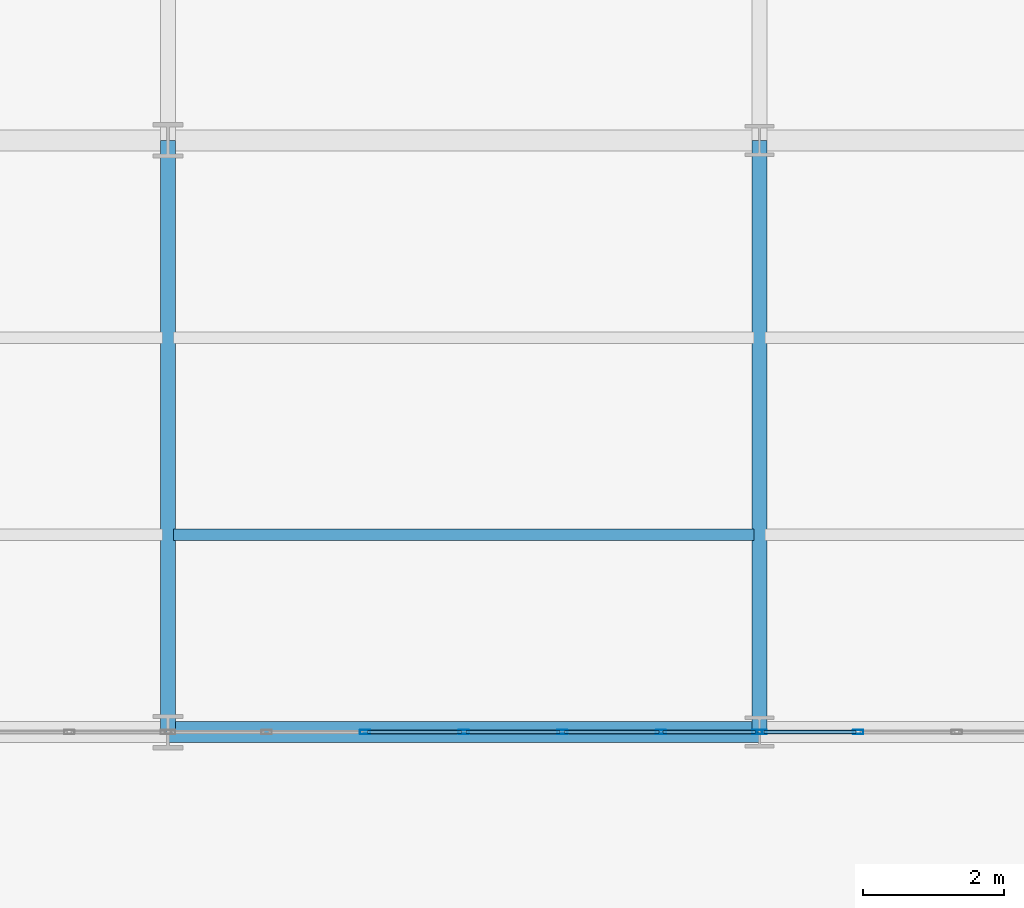
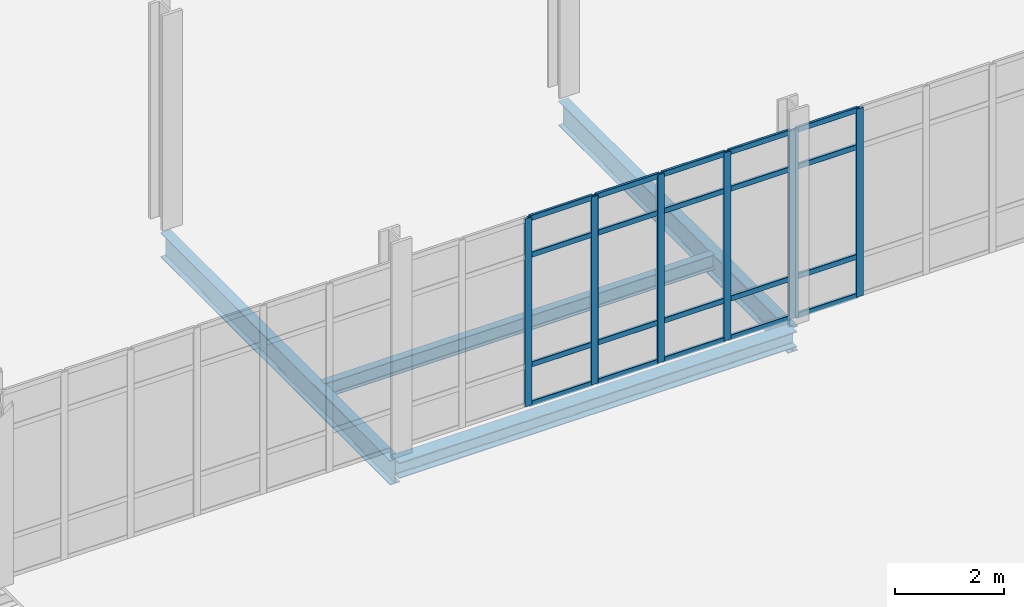
# One storey, part 82 of 145: 27 members, 4 beams, 2 elements without a shape of their own.
"""IFC4 building model written with IfcOpenShell, lengths in metres."""

from ifc_helpers import new_model, si_unit, direction, frame, origin, origin_2d, place, context, subcontext, project, spatial, hollow_rectangle, i_section, extrude, material, layer, layer_set, material_profile, profile_set, type_object, element, aggregate, save


model = new_model("IFC4")

# Units and contexts
model_context = context("Model", 3, precision=1e-05, world=origin(), true_north=direction((0.0, 1.0)))
body_context = subcontext(model_context, "Body", "Model", "MODEL_VIEW")
ifc_project = project(units=[si_unit("LENGTHUNIT", "METRE"), si_unit("AREAUNIT", "SQUARE_METRE"), si_unit("VOLUMEUNIT", "CUBIC_METRE"), si_unit("PLANEANGLEUNIT", "RADIAN"), si_unit("MASSUNIT", "GRAM", prefix="KILO")], contexts=[model_context])

# Site, building, storey
site_placement = place(None, origin())
site = spatial("IfcSite", under=ifc_project, at=site_placement, CompositionType="ELEMENT")
building_placement = place(site_placement, origin())
building = spatial("IfcBuilding", under=site, at=building_placement, Name="Qalvenar Corner Mobility Hub", CompositionType="ELEMENT")
storey_placement = place(building_placement, origin())
storey = spatial("IfcBuildingStorey", under=building, at=storey_placement, Name="L00", CompositionType="ELEMENT", Elevation=0.0)

# Beams
ifc_material_1 = material(Name="Steel S355", Category="steel")
ifc_material_profile_1 = material_profile(ifc_material_1, i_section(OverallWidth=0.2099609375, OverallDepth=0.550048828125, WebThickness=0.010986328125, FlangeThickness=0.01708984375, FilletRadius=0.02392578125, at=origin_2d()), Name="IPE550")
ifc_profile_set_1 = profile_set([ifc_material_profile_1], Name="Steel S355")
beam_type_1 = type_object("IfcBeamType", Name="BM-IPE550", PredefinedType="BEAM", material=ifc_profile_set_1)
for number, where, z_axis, x_axis, name in (
    (1, (117.60009765625, 67.199951171875, -0.4951171875), (0.0, 1.0, 0.0), (-1.0, 0.0, 0.0), "Primary Steel Girder GY-0629"),
    (2, (126.0, 67.199951171875, -0.4951171875), (0.0, 1.0, 0.0), (-1.0, 0.0, 0.0), "Primary Steel Girder GY-0635"),
):
    element("IfcBeam", number, at=place(storey_placement, frame(where, z_axis=z_axis, x_axis=x_axis)), inside=storey, type_object=beam_type_1, Name=name, PredefinedType="BEAM", context=body_context, shape_type="SweptSolid", body=[
        extrude(i_section(OverallWidth=0.2099609375, OverallDepth=0.550048828125, WebThickness=0.010986328125, FlangeThickness=0.01708984375, FilletRadius=0.02392578125, at=origin_2d()), origin(), (0.0, 0.0, 1.0), 8.400146484375),
    ])
ifc_material_profile_2 = material_profile(ifc_material_1, i_section(OverallWidth=0.159912109375, OverallDepth=0.330078125, WebThickness=0.007568359375, FlangeThickness=0.011474609375, FilletRadius=0.01806640625, at=origin_2d()), Name="IPE330")
ifc_profile_set_2 = profile_set([ifc_material_profile_2], Name="Steel S355")
beam_type_2 = type_object("IfcBeamType", Name="BM-JST330", PredefinedType="JOIST", material=ifc_profile_set_2)
beam_1_placement = place(storey_placement, frame((117.677978515625, 70.0, -0.385009765625), z_axis=(1.0, 0.0, 0.0), x_axis=(0.0, 1.0, 0.0)))
element("IfcBeam", 3, at=beam_1_placement, inside=storey, type_object=beam_type_2, Name="Composite Floor Joist J-0729", PredefinedType="JOIST", context=body_context, shape_type="SweptSolid", body=[
    extrude(i_section(OverallWidth=0.159912109375, OverallDepth=0.330078125, WebThickness=0.007568359375, FlangeThickness=0.011474609375, FilletRadius=0.01806640625, at=origin_2d()), origin(), (0.0, 0.0, 1.0), 8.244140625),
])
ifc_material_profile_3 = material_profile(ifc_material_1, i_section(OverallWidth=0.300048828125, OverallDepth=0.35009765625, WebThickness=0.010009765625, FlangeThickness=0.017578125, FilletRadius=0.027099609375, at=origin_2d()), Name="HEA360")
ifc_profile_set_3 = profile_set([ifc_material_profile_3], Name="Steel S355")
beam_type_3 = type_object("IfcBeamType", Name="BM-SPN360", PredefinedType="SPANDREL", material=ifc_profile_set_3)
beam_2_placement = place(storey_placement, frame((117.60009765625, 67.199951171875, -0.39501953125), z_axis=(1.0, 0.0, 0.0), x_axis=(0.0, 1.0, 0.0)))
element("IfcBeam", 4, at=beam_2_placement, inside=storey, type_object=beam_type_3, Name="Primary Steel Girder GX-0529", PredefinedType="SPANDREL", context=body_context, shape_type="SweptSolid", body=[
    extrude(i_section(OverallWidth=0.300048828125, OverallDepth=0.35009765625, WebThickness=0.010009765625, FlangeThickness=0.017578125, FilletRadius=0.027099609375, at=origin_2d()), origin(), (0.0, 0.0, 1.0), 8.39990234375),
])

# Curtain wall, members
ifc_material_2 = material(Name="Anodised Aluminium and Low-E Glazing", Category="aluminium")
ifc_layer = layer(ifc_material_2, 0.14990234375)
ifc_layer_set = layer_set([ifc_layer], Name="Anodised Aluminium and Low-E Glazing")
curtain_wall_type = type_object("IfcCurtainWallType", Name="CW-MOB-84X46", PredefinedType="NOTDEFINED", material=ifc_layer_set)
curtain_wall_1_placement = place(storey_placement, origin())
curtain_wall_1 = element("IfcCurtainWall", 5, at=curtain_wall_1_placement, inside=storey, type_object=curtain_wall_type, Name="Glazed Curtain Wall CW-V4-L00-S7", PredefinedType="NOTDEFINED")
ifc_material_3 = material(Name="Anodised Aluminium 6063-T6", Category="aluminium")
ifc_material_profile_4 = material_profile(ifc_material_3, hollow_rectangle(XDim=0.06005859375, YDim=0.14990234375, WallThickness=0.00390625, InnerFilletRadius=0.00390625, OuterFilletRadius=0.008056640625, at=origin_2d()), Name="RHS150x60x4")
ifc_profile_set_4 = profile_set([ifc_material_profile_4], Name="Anodised Aluminium 6063-T6")
member_type_1 = type_object("IfcMemberType", Name="CW-MUL150", PredefinedType="MULLION", material=ifc_profile_set_4)
member_1_placement = place(storey_placement, frame((120.39990234375, 67.199951171875, 0.0), z_axis=(0.0, 0.0, 1.0), x_axis=(0.0, 1.0, 0.0)))
member_1 = element("IfcMember", 6, at=member_1_placement, type_object=member_type_1, Name="CW-03 mullion 3", PredefinedType="MULLION", context=body_context, shape_type="SweptSolid", body=[
    extrude(hollow_rectangle(XDim=0.06005859375, YDim=0.14990234375, WallThickness=0.00390625, InnerFilletRadius=0.00390625, OuterFilletRadius=0.008056640625, at=origin_2d()), origin(), (0.0, 0.0, 1.0), 4.199951171875),
])
member_2_placement = place(storey_placement, frame((121.800048828125, 67.199951171875, 0.0), z_axis=(0.0, 0.0, 1.0), x_axis=(0.0, 1.0, 0.0)))
member_2 = element("IfcMember", 7, at=member_2_placement, type_object=member_type_1, Name="CW-03 mullion 4", PredefinedType="MULLION", context=body_context, shape_type="SweptSolid", body=[
    extrude(hollow_rectangle(XDim=0.06005859375, YDim=0.14990234375, WallThickness=0.00390625, InnerFilletRadius=0.00390625, OuterFilletRadius=0.008056640625, at=origin_2d()), origin(), (0.0, 0.0, 1.0), 4.199951171875),
])
member_3_placement = place(storey_placement, frame((123.199951171875, 67.199951171875, 0.0), z_axis=(0.0, 0.0, 1.0), x_axis=(0.0, 1.0, 0.0)))
member_3 = element("IfcMember", 8, at=member_3_placement, type_object=member_type_1, Name="CW-03 mullion 5", PredefinedType="MULLION", context=body_context, shape_type="SweptSolid", body=[
    extrude(hollow_rectangle(XDim=0.06005859375, YDim=0.14990234375, WallThickness=0.00390625, InnerFilletRadius=0.00390625, OuterFilletRadius=0.008056640625, at=origin_2d()), origin(), (0.0, 0.0, 1.0), 4.199951171875),
])
member_4_placement = place(storey_placement, frame((124.60009765625, 67.199951171875, 0.0), z_axis=(0.0, 0.0, 1.0), x_axis=(0.0, 1.0, 0.0)))
member_4 = element("IfcMember", 9, at=member_4_placement, type_object=member_type_1, Name="CW-03 mullion 6", PredefinedType="MULLION", context=body_context, shape_type="SweptSolid", body=[
    extrude(hollow_rectangle(XDim=0.06005859375, YDim=0.14990234375, WallThickness=0.00390625, InnerFilletRadius=0.00390625, OuterFilletRadius=0.008056640625, at=origin_2d()), origin(), (0.0, 0.0, 1.0), 4.199951171875),
])
member_5_placement = place(storey_placement, frame((125.969970703125, 67.199951171875, 0.0), z_axis=(0.0, 0.0, 1.0), x_axis=(0.0, 1.0, 0.0)))
member_5 = element("IfcMember", 10, at=member_5_placement, type_object=member_type_1, Name="CW-03 mullion 7", PredefinedType="MULLION", context=body_context, shape_type="SweptSolid", body=[
    extrude(hollow_rectangle(XDim=0.06005859375, YDim=0.14990234375, WallThickness=0.00390625, InnerFilletRadius=0.00390625, OuterFilletRadius=0.008056640625, at=origin_2d()), origin(), (0.0, 0.0, 1.0), 4.199951171875),
])

curtain_wall_2_placement = place(storey_placement, origin())
curtain_wall_2 = element("IfcCurtainWall", 11, at=curtain_wall_2_placement, inside=storey, type_object=curtain_wall_type, Name="Glazed Curtain Wall CW-V4-L00-S8", PredefinedType="NOTDEFINED")
member_6_placement = place(storey_placement, frame((126.030029296875, 67.199951171875, 0.0), z_axis=(0.0, 0.0, 1.0), x_axis=(0.0, 1.0, 0.0)))
member_6 = element("IfcMember", 12, at=member_6_placement, type_object=member_type_1, Name="CW-03 mullion 1", PredefinedType="MULLION", context=body_context, shape_type="SweptSolid", body=[
    extrude(hollow_rectangle(XDim=0.06005859375, YDim=0.14990234375, WallThickness=0.00390625, InnerFilletRadius=0.00390625, OuterFilletRadius=0.008056640625, at=origin_2d()), origin(), (0.0, 0.0, 1.0), 4.199951171875),
])
member_7_placement = place(storey_placement, frame((127.39990234375, 67.199951171875, 0.0), z_axis=(0.0, 0.0, 1.0), x_axis=(0.0, 1.0, 0.0)))
member_7 = element("IfcMember", 13, at=member_7_placement, type_object=member_type_1, Name="CW-03 mullion 2", PredefinedType="MULLION", context=body_context, shape_type="SweptSolid", body=[
    extrude(hollow_rectangle(XDim=0.06005859375, YDim=0.14990234375, WallThickness=0.00390625, InnerFilletRadius=0.00390625, OuterFilletRadius=0.008056640625, at=origin_2d()), origin(), (0.0, 0.0, 1.0), 4.199951171875),
])

# Member
ifc_material_profile_5 = material_profile(ifc_material_3, hollow_rectangle(XDim=0.054931640625, YDim=0.1201171875, WallThickness=0.00341796875, InnerFilletRadius=0.00341796875, OuterFilletRadius=0.007080078125, at=origin_2d()), Name="RHS120x55x3.5")
ifc_profile_set_5 = profile_set([ifc_material_profile_5], Name="Anodised Aluminium 6063-T6")
member_type_2 = type_object("IfcMemberType", Name="CW-TRN120", PredefinedType="USERDEFINED", material=ifc_profile_set_5)
member_8_placement = place(storey_placement, frame((120.429931640625, 67.199951171875, 0.027587890625), z_axis=(1.0, 0.0, 0.0), x_axis=(0.0, 1.0, 0.0)))
member_8 = element("IfcMember", 14, at=member_8_placement, type_object=member_type_2, Name="CW-03 transom 3.1", ObjectType="TRANSOM", PredefinedType="USERDEFINED", context=body_context, shape_type="SweptSolid", body=[
    extrude(hollow_rectangle(XDim=0.054931640625, YDim=0.1201171875, WallThickness=0.00341796875, InnerFilletRadius=0.00341796875, OuterFilletRadius=0.007080078125, at=origin_2d()), origin(), (0.0, 0.0, 1.0), 1.340087890625),
])

member_9_placement = place(storey_placement, frame((120.429931640625, 67.199951171875, 0.89990234375), z_axis=(1.0, 0.0, 0.0), x_axis=(0.0, 1.0, 0.0)))
member_9 = element("IfcMember", 15, at=member_9_placement, type_object=member_type_2, Name="CW-03 transom 3.2", ObjectType="TRANSOM", PredefinedType="USERDEFINED", context=body_context, shape_type="SweptSolid", body=[
    extrude(hollow_rectangle(XDim=0.054931640625, YDim=0.1201171875, WallThickness=0.00341796875, InnerFilletRadius=0.00341796875, OuterFilletRadius=0.007080078125, at=origin_2d()), origin(), (0.0, 0.0, 1.0), 1.340087890625),
])

member_10_placement = place(storey_placement, frame((120.429931640625, 67.199951171875, 3.35009765625), z_axis=(1.0, 0.0, 0.0), x_axis=(0.0, 1.0, 0.0)))
member_10 = element("IfcMember", 16, at=member_10_placement, type_object=member_type_2, Name="CW-03 transom 3.3", ObjectType="TRANSOM", PredefinedType="USERDEFINED", context=body_context, shape_type="SweptSolid", body=[
    extrude(hollow_rectangle(XDim=0.054931640625, YDim=0.1201171875, WallThickness=0.00341796875, InnerFilletRadius=0.00341796875, OuterFilletRadius=0.007080078125, at=origin_2d()), origin(), (0.0, 0.0, 1.0), 1.340087890625),
])

member_11_placement = place(storey_placement, frame((120.429931640625, 67.199951171875, 4.172607421875), z_axis=(1.0, 0.0, 0.0), x_axis=(0.0, 1.0, 0.0)))
member_11 = element("IfcMember", 17, at=member_11_placement, type_object=member_type_2, Name="CW-03 transom 3.4", ObjectType="TRANSOM", PredefinedType="USERDEFINED", context=body_context, shape_type="SweptSolid", body=[
    extrude(hollow_rectangle(XDim=0.054931640625, YDim=0.1201171875, WallThickness=0.00341796875, InnerFilletRadius=0.00341796875, OuterFilletRadius=0.007080078125, at=origin_2d()), origin(), (0.0, 0.0, 1.0), 1.340087890625),
])

member_12_placement = place(storey_placement, frame((121.830078125, 67.199951171875, 0.027587890625), z_axis=(1.0, 0.0, 0.0), x_axis=(0.0, 1.0, 0.0)))
member_12 = element("IfcMember", 18, at=member_12_placement, type_object=member_type_2, Name="CW-03 transom 4.1", ObjectType="TRANSOM", PredefinedType="USERDEFINED", context=body_context, shape_type="SweptSolid", body=[
    extrude(hollow_rectangle(XDim=0.054931640625, YDim=0.1201171875, WallThickness=0.00341796875, InnerFilletRadius=0.00341796875, OuterFilletRadius=0.007080078125, at=origin_2d()), origin(), (0.0, 0.0, 1.0), 1.33984375),
])

member_13_placement = place(storey_placement, frame((121.830078125, 67.199951171875, 0.89990234375), z_axis=(1.0, 0.0, 0.0), x_axis=(0.0, 1.0, 0.0)))
member_13 = element("IfcMember", 19, at=member_13_placement, type_object=member_type_2, Name="CW-03 transom 4.2", ObjectType="TRANSOM", PredefinedType="USERDEFINED", context=body_context, shape_type="SweptSolid", body=[
    extrude(hollow_rectangle(XDim=0.054931640625, YDim=0.1201171875, WallThickness=0.00341796875, InnerFilletRadius=0.00341796875, OuterFilletRadius=0.007080078125, at=origin_2d()), origin(), (0.0, 0.0, 1.0), 1.33984375),
])

member_14_placement = place(storey_placement, frame((121.830078125, 67.199951171875, 3.35009765625), z_axis=(1.0, 0.0, 0.0), x_axis=(0.0, 1.0, 0.0)))
member_14 = element("IfcMember", 20, at=member_14_placement, type_object=member_type_2, Name="CW-03 transom 4.3", ObjectType="TRANSOM", PredefinedType="USERDEFINED", context=body_context, shape_type="SweptSolid", body=[
    extrude(hollow_rectangle(XDim=0.054931640625, YDim=0.1201171875, WallThickness=0.00341796875, InnerFilletRadius=0.00341796875, OuterFilletRadius=0.007080078125, at=origin_2d()), origin(), (0.0, 0.0, 1.0), 1.33984375),
])

member_15_placement = place(storey_placement, frame((121.830078125, 67.199951171875, 4.172607421875), z_axis=(1.0, 0.0, 0.0), x_axis=(0.0, 1.0, 0.0)))
member_15 = element("IfcMember", 21, at=member_15_placement, type_object=member_type_2, Name="CW-03 transom 4.4", ObjectType="TRANSOM", PredefinedType="USERDEFINED", context=body_context, shape_type="SweptSolid", body=[
    extrude(hollow_rectangle(XDim=0.054931640625, YDim=0.1201171875, WallThickness=0.00341796875, InnerFilletRadius=0.00341796875, OuterFilletRadius=0.007080078125, at=origin_2d()), origin(), (0.0, 0.0, 1.0), 1.33984375),
])

member_16_placement = place(storey_placement, frame((123.22998046875, 67.199951171875, 0.027587890625), z_axis=(1.0, 0.0, 0.0), x_axis=(0.0, 1.0, 0.0)))
member_16 = element("IfcMember", 22, at=member_16_placement, type_object=member_type_2, Name="CW-03 transom 5.1", ObjectType="TRANSOM", PredefinedType="USERDEFINED", context=body_context, shape_type="SweptSolid", body=[
    extrude(hollow_rectangle(XDim=0.054931640625, YDim=0.1201171875, WallThickness=0.00341796875, InnerFilletRadius=0.00341796875, OuterFilletRadius=0.007080078125, at=origin_2d()), origin(), (0.0, 0.0, 1.0), 1.340087890625),
])

member_17_placement = place(storey_placement, frame((123.22998046875, 67.199951171875, 0.89990234375), z_axis=(1.0, 0.0, 0.0), x_axis=(0.0, 1.0, 0.0)))
member_17 = element("IfcMember", 23, at=member_17_placement, type_object=member_type_2, Name="CW-03 transom 5.2", ObjectType="TRANSOM", PredefinedType="USERDEFINED", context=body_context, shape_type="SweptSolid", body=[
    extrude(hollow_rectangle(XDim=0.054931640625, YDim=0.1201171875, WallThickness=0.00341796875, InnerFilletRadius=0.00341796875, OuterFilletRadius=0.007080078125, at=origin_2d()), origin(), (0.0, 0.0, 1.0), 1.340087890625),
])

member_18_placement = place(storey_placement, frame((123.22998046875, 67.199951171875, 3.35009765625), z_axis=(1.0, 0.0, 0.0), x_axis=(0.0, 1.0, 0.0)))
member_18 = element("IfcMember", 24, at=member_18_placement, type_object=member_type_2, Name="CW-03 transom 5.3", ObjectType="TRANSOM", PredefinedType="USERDEFINED", context=body_context, shape_type="SweptSolid", body=[
    extrude(hollow_rectangle(XDim=0.054931640625, YDim=0.1201171875, WallThickness=0.00341796875, InnerFilletRadius=0.00341796875, OuterFilletRadius=0.007080078125, at=origin_2d()), origin(), (0.0, 0.0, 1.0), 1.340087890625),
])

member_19_placement = place(storey_placement, frame((123.22998046875, 67.199951171875, 4.172607421875), z_axis=(1.0, 0.0, 0.0), x_axis=(0.0, 1.0, 0.0)))
member_19 = element("IfcMember", 25, at=member_19_placement, type_object=member_type_2, Name="CW-03 transom 5.4", ObjectType="TRANSOM", PredefinedType="USERDEFINED", context=body_context, shape_type="SweptSolid", body=[
    extrude(hollow_rectangle(XDim=0.054931640625, YDim=0.1201171875, WallThickness=0.00341796875, InnerFilletRadius=0.00341796875, OuterFilletRadius=0.007080078125, at=origin_2d()), origin(), (0.0, 0.0, 1.0), 1.340087890625),
])

member_20_placement = place(storey_placement, frame((124.6298828125, 67.199951171875, 0.027587890625), z_axis=(1.0, 0.0, 0.0), x_axis=(0.0, 1.0, 0.0)))
member_20 = element("IfcMember", 26, at=member_20_placement, type_object=member_type_2, Name="CW-03 transom 6.1", ObjectType="TRANSOM", PredefinedType="USERDEFINED", context=body_context, shape_type="SweptSolid", body=[
    extrude(hollow_rectangle(XDim=0.054931640625, YDim=0.1201171875, WallThickness=0.00341796875, InnerFilletRadius=0.00341796875, OuterFilletRadius=0.007080078125, at=origin_2d()), origin(), (0.0, 0.0, 1.0), 1.31005859375),
])

member_21_placement = place(storey_placement, frame((124.6298828125, 67.199951171875, 0.89990234375), z_axis=(1.0, 0.0, 0.0), x_axis=(0.0, 1.0, 0.0)))
member_21 = element("IfcMember", 27, at=member_21_placement, type_object=member_type_2, Name="CW-03 transom 6.2", ObjectType="TRANSOM", PredefinedType="USERDEFINED", context=body_context, shape_type="SweptSolid", body=[
    extrude(hollow_rectangle(XDim=0.054931640625, YDim=0.1201171875, WallThickness=0.00341796875, InnerFilletRadius=0.00341796875, OuterFilletRadius=0.007080078125, at=origin_2d()), origin(), (0.0, 0.0, 1.0), 1.31005859375),
])

member_22_placement = place(storey_placement, frame((124.6298828125, 67.199951171875, 3.35009765625), z_axis=(1.0, 0.0, 0.0), x_axis=(0.0, 1.0, 0.0)))
member_22 = element("IfcMember", 28, at=member_22_placement, type_object=member_type_2, Name="CW-03 transom 6.3", ObjectType="TRANSOM", PredefinedType="USERDEFINED", context=body_context, shape_type="SweptSolid", body=[
    extrude(hollow_rectangle(XDim=0.054931640625, YDim=0.1201171875, WallThickness=0.00341796875, InnerFilletRadius=0.00341796875, OuterFilletRadius=0.007080078125, at=origin_2d()), origin(), (0.0, 0.0, 1.0), 1.31005859375),
])

member_23_placement = place(storey_placement, frame((124.6298828125, 67.199951171875, 4.172607421875), z_axis=(1.0, 0.0, 0.0), x_axis=(0.0, 1.0, 0.0)))
member_23 = element("IfcMember", 29, at=member_23_placement, type_object=member_type_2, Name="CW-03 transom 6.4", ObjectType="TRANSOM", PredefinedType="USERDEFINED", context=body_context, shape_type="SweptSolid", body=[
    extrude(hollow_rectangle(XDim=0.054931640625, YDim=0.1201171875, WallThickness=0.00341796875, InnerFilletRadius=0.00341796875, OuterFilletRadius=0.007080078125, at=origin_2d()), origin(), (0.0, 0.0, 1.0), 1.31005859375),
])

aggregate(curtain_wall_1, [member_1, member_2, member_3, member_4, member_5, member_8, member_9, member_10, member_11, member_12, member_13, member_14, member_15, member_16, member_17, member_18, member_19, member_20, member_21, member_22, member_23])

member_24_placement = place(storey_placement, frame((126.06005859375, 67.199951171875, 0.027587890625), z_axis=(1.0, 0.0, 0.0), x_axis=(0.0, 1.0, 0.0)))
member_24 = element("IfcMember", 30, at=member_24_placement, type_object=member_type_2, Name="CW-03 transom 1.1", ObjectType="TRANSOM", PredefinedType="USERDEFINED", context=body_context, shape_type="SweptSolid", body=[
    extrude(hollow_rectangle(XDim=0.054931640625, YDim=0.1201171875, WallThickness=0.00341796875, InnerFilletRadius=0.00341796875, OuterFilletRadius=0.007080078125, at=origin_2d()), origin(), (0.0, 0.0, 1.0), 1.31005859375),
])

member_25_placement = place(storey_placement, frame((126.06005859375, 67.199951171875, 0.89990234375), z_axis=(1.0, 0.0, 0.0), x_axis=(0.0, 1.0, 0.0)))
member_25 = element("IfcMember", 31, at=member_25_placement, type_object=member_type_2, Name="CW-03 transom 1.2", ObjectType="TRANSOM", PredefinedType="USERDEFINED", context=body_context, shape_type="SweptSolid", body=[
    extrude(hollow_rectangle(XDim=0.054931640625, YDim=0.1201171875, WallThickness=0.00341796875, InnerFilletRadius=0.00341796875, OuterFilletRadius=0.007080078125, at=origin_2d()), origin(), (0.0, 0.0, 1.0), 1.31005859375),
])

member_26_placement = place(storey_placement, frame((126.06005859375, 67.199951171875, 3.35009765625), z_axis=(1.0, 0.0, 0.0), x_axis=(0.0, 1.0, 0.0)))
member_26 = element("IfcMember", 32, at=member_26_placement, type_object=member_type_2, Name="CW-03 transom 1.3", ObjectType="TRANSOM", PredefinedType="USERDEFINED", context=body_context, shape_type="SweptSolid", body=[
    extrude(hollow_rectangle(XDim=0.054931640625, YDim=0.1201171875, WallThickness=0.00341796875, InnerFilletRadius=0.00341796875, OuterFilletRadius=0.007080078125, at=origin_2d()), origin(), (0.0, 0.0, 1.0), 1.31005859375),
])

member_27_placement = place(storey_placement, frame((126.06005859375, 67.199951171875, 4.172607421875), z_axis=(1.0, 0.0, 0.0), x_axis=(0.0, 1.0, 0.0)))
member_27 = element("IfcMember", 33, at=member_27_placement, type_object=member_type_2, Name="CW-03 transom 1.4", ObjectType="TRANSOM", PredefinedType="USERDEFINED", context=body_context, shape_type="SweptSolid", body=[
    extrude(hollow_rectangle(XDim=0.054931640625, YDim=0.1201171875, WallThickness=0.00341796875, InnerFilletRadius=0.00341796875, OuterFilletRadius=0.007080078125, at=origin_2d()), origin(), (0.0, 0.0, 1.0), 1.31005859375),
])

aggregate(curtain_wall_2, [member_6, member_7, member_24, member_25, member_26, member_27])

save(model, "model.ifc")
